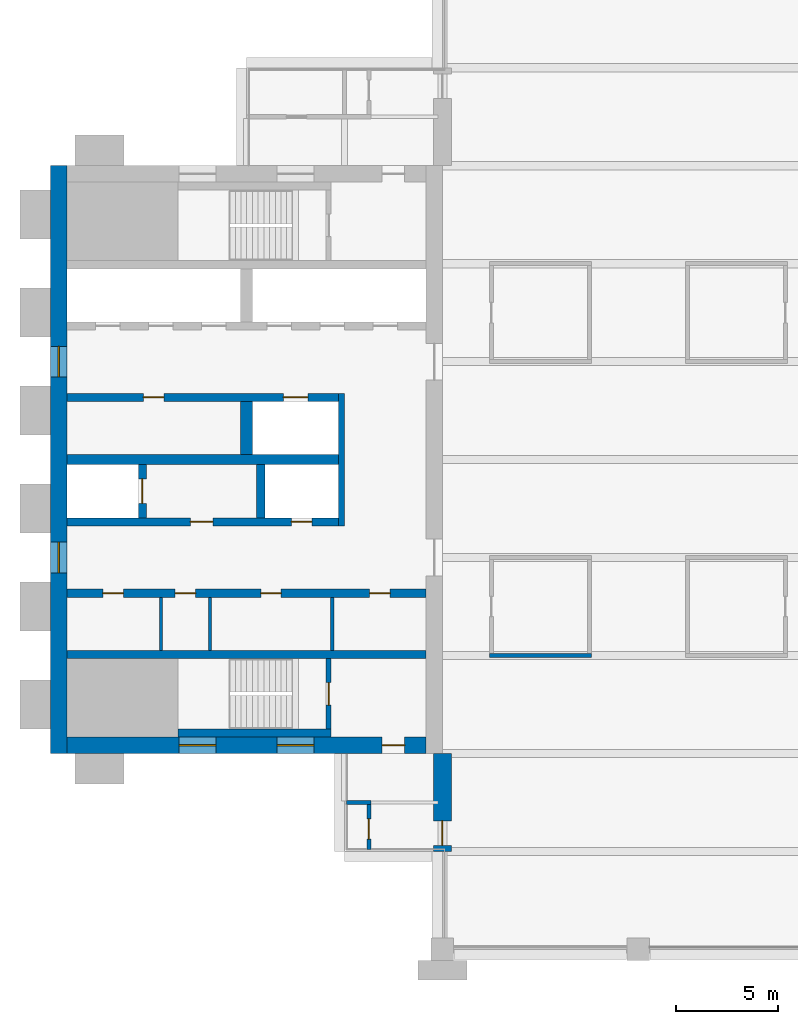
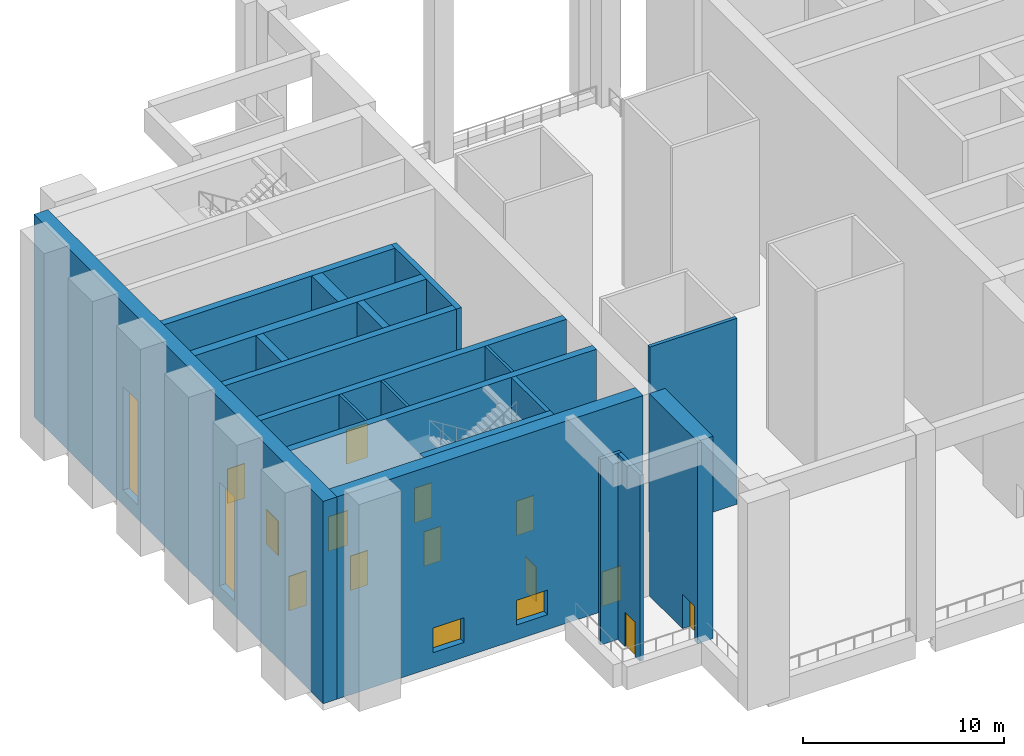
# One storey, part 2 of 8: 20 walls, 13 doors, 4 windows, 17 openings.
"""IFC4 building model written with IfcOpenShell, lengths in metres."""

from ifc_helpers import new_model, si_unit, direction, frame, frame_2d, origin, place, context, subcontext, project, spatial, rectangle, extrude, material, layer, layer_set, type_object, element, fill, save


model = new_model("IFC4")

# Units and contexts
model_context = context("Model", 3, precision=1e-05, world=origin(), true_north=direction((0.0, 1.0)))
body_context = subcontext(model_context, "Body", "Model", "MODEL_VIEW")
ifc_project = project(units=[si_unit("LENGTHUNIT", "METRE"), si_unit("AREAUNIT", "SQUARE_METRE"), si_unit("VOLUMEUNIT", "CUBIC_METRE"), si_unit("PLANEANGLEUNIT", "RADIAN"), si_unit("MASSUNIT", "GRAM", prefix="KILO")], contexts=[model_context])

# Site, building, storey
site_placement = place(None, origin())
site = spatial("IfcSite", under=ifc_project, at=site_placement, CompositionType="ELEMENT")
building_placement = place(site_placement, origin())
building = spatial("IfcBuilding", under=site, at=building_placement, Name="Baori Bourse Tower", CompositionType="ELEMENT")
storey_placement = place(building_placement, frame((0.0, 0.0, 269.699951171875)))
storey = spatial("IfcBuildingStorey", under=building, at=storey_placement, Name="L60", CompositionType="ELEMENT", Elevation=269.699951171875)

# Walls
ifc_material_1 = material(Name="Blockwork partition", Category="masonry")
ifc_layer_1 = layer(ifc_material_1, 0.14990234375)
ifc_layer_set_1 = layer_set([ifc_layer_1], Name="Core partition 150")
wall_type_1 = type_object("IfcWallType", Name="Core partition 150", PredefinedType="PARTITIONING", material=ifc_layer_set_1)
for number, where, z_axis, x_axis, name in (
    (1, (5.39990234375, 14.64990234375, 0.0), (0.0, 0.0, 1.0), (0.0, 1.0, 0.0), "Partition wall W08"),
    (2, (7.800048828125, 14.64990234375, 0.0), (0.0, 0.0, 1.0), (0.0, 1.0, 0.0), "Partition wall W09"),
    (3, (13.800048828125, 14.64990234375, 0.0), (0.0, 0.0, 1.0), (0.0, 1.0, 0.0), "Partition wall W10"),
):
    element("IfcWall", number, at=place(storey_placement, frame(where, z_axis=z_axis, x_axis=x_axis)), inside=storey, type_object=wall_type_1, Name=name, PredefinedType="PARTITIONING", context=body_context, shape_type="SweptSolid", body=[
        extrude(rectangle(XDim=2.60009765625, YDim=0.14990234375, at=frame_2d((1.300048828125, 0.0))), origin(), (0.0, 0.0, 1.0), 12.300048828125),
    ])

# Wall, openings, windows
ifc_material_2 = material(Name="Concrete f'c 50 MPa", Category="concrete")
ifc_layer_2 = layer(ifc_material_2, 0.800048828125)
ifc_layer_set_2 = layer_set([ifc_layer_2], Name="Core wall 800 f'c 50")
wall_type_2 = type_object("IfcWallType", Name="Core wall 800 f'c 50", PredefinedType="SHEAR", material=ifc_layer_set_2)
wall_1_placement = place(storey_placement, frame((0.39990234375, 9.60009765625, 0.0), z_axis=(0.0, 0.0, 1.0), x_axis=(0.0, 1.0, 0.0)))
wall_1 = element("IfcWall", 4, at=wall_1_placement, inside=storey, type_object=wall_type_2, Name="Core wall W01", PredefinedType="SHEAR", context=body_context, shape_type="SweptSolid", body=[
    extrude(rectangle(XDim=28.7998046875, YDim=0.800048828125, at=frame_2d((14.39990234375, 0.0))), origin(), (0.0, 0.0, 1.0), 12.300048828125),
])
opening_1_placement = place(wall_1_placement, frame((8.85009765625, 0.0, 0.89990234375)))
opening_1 = element("IfcOpeningElement", 5, at=opening_1_placement, cuts=wall_1, Name="Opening L60-KW101", PredefinedType="OPENING", context=body_context, shape_type="SweptSolid", body=[
    extrude(rectangle(XDim=1.5, YDim=6.300048828125, at=frame_2d((0.75, 3.14990234375))), frame((0.0, 0.409912109375, 0.0), z_axis=(0.0, -1.0, 0.0), x_axis=(1.0, 0.0, 0.0)), (0.0, 0.0, 1.0), 0.820068359375),
])
opening_2_placement = place(wall_1_placement, frame((18.449951171875, 0.0, 0.89990234375)))
opening_2 = element("IfcOpeningElement", 6, at=opening_2_placement, cuts=wall_1, Name="Opening L60-KW102", PredefinedType="OPENING", context=body_context, shape_type="SweptSolid", body=[
    extrude(rectangle(XDim=1.5, YDim=6.300048828125, at=frame_2d((0.75, 3.14990234375))), frame((0.0, 0.409912109375, 0.0), z_axis=(0.0, -1.0, 0.0), x_axis=(1.0, 0.0, 0.0)), (0.0, 0.0, 1.0), 0.820068359375),
])
ifc_material_3 = material(Name="Pale anodised aluminium", Category="aluminium")
window_type_1 = type_object("IfcWindowType", Name="Lobby window 1500 x 6300", PartitioningType="SINGLE_PANEL", PredefinedType="WINDOW", material=ifc_material_3)
window_1_placement = place(opening_1_placement, origin())
window_1 = element("IfcWindow", 7, at=window_1_placement, inside=storey, type_object=window_type_1, Name="Outer wall window W L60 1", OverallHeight=6.300048828125, OverallWidth=1.5, PartitioningType="SINGLE_PANEL", PredefinedType="WINDOW", context=body_context, shape_type="SweptSolid", body=[
    extrude(rectangle(XDim=1.5, YDim=6.300048828125, at=frame_2d((0.75, 3.14990234375))), frame((0.0, 0.030029296875, 0.0), z_axis=(0.0, -1.0, 0.0), x_axis=(1.0, 0.0, 0.0)), (0.0, 0.0, 1.0), 0.06005859375),
])
fill(opening_1, window_1)
window_2_placement = place(opening_2_placement, origin())
window_2 = element("IfcWindow", 8, at=window_2_placement, inside=storey, type_object=window_type_1, Name="Outer wall window W L60 2", OverallHeight=6.300048828125, OverallWidth=1.5, PartitioningType="SINGLE_PANEL", PredefinedType="WINDOW", context=body_context, shape_type="SweptSolid", body=[
    extrude(rectangle(XDim=1.5, YDim=6.300048828125, at=frame_2d((0.75, 3.14990234375))), frame((0.0, 0.030029296875, 0.0), z_axis=(0.0, -1.0, 0.0), x_axis=(1.0, 0.0, 0.0)), (0.0, 0.0, 1.0), 0.06005859375),
])
fill(opening_2, window_2)

# Wall, openings, door, windows
wall_2_placement = place(storey_placement, frame((18.39990234375, 10.0, 0.0), z_axis=(0.0, 0.0, 1.0), x_axis=(-1.0, 0.0, 0.0)))
wall_2 = element("IfcWall", 9, at=wall_2_placement, inside=storey, type_object=wall_type_2, Name="Core wall W02", PredefinedType="SHEAR", context=body_context, shape_type="SweptSolid", body=[
    extrude(rectangle(XDim=17.599853515625, YDim=0.800048828125, at=frame_2d((8.7998046875, 0.0))), origin(), (0.0, 0.0, 1.0), 12.300048828125),
])
opening_3_placement = place(wall_2_placement, frame((1.050048828125, 0.0, 0.0)))
opening_3 = element("IfcOpeningElement", 10, at=opening_3_placement, cuts=wall_2, Name="Opening L60-D102", PredefinedType="OPENING", context=body_context, shape_type="SweptSolid", body=[
    extrude(rectangle(XDim=1.10009765625, YDim=2.10009765625, at=frame_2d((0.550048828125, 1.050048828125))), frame((0.0, 0.409912109375, 0.0), z_axis=(0.0, -1.0, 0.0), x_axis=(1.0, 0.0, 0.0)), (0.0, 0.0, 1.0), 0.820068359375),
])
opening_4_placement = place(wall_2_placement, frame((10.300048828125, 0.0, 0.89990234375)))
opening_4 = element("IfcOpeningElement", 11, at=opening_4_placement, cuts=wall_2, Name="Opening L60-KW103", PredefinedType="OPENING", context=body_context, shape_type="SweptSolid", body=[
    extrude(rectangle(XDim=1.800048828125, YDim=1.5, at=frame_2d((0.89990234375, 0.75))), frame((0.0, 0.409912109375, 0.0), z_axis=(0.0, -1.0, 0.0), x_axis=(1.0, 0.0, 0.0)), (0.0, 0.0, 1.0), 0.820068359375),
])
opening_5_placement = place(wall_2_placement, frame((5.5, 0.0, 0.89990234375)))
opening_5 = element("IfcOpeningElement", 12, at=opening_5_placement, cuts=wall_2, Name="Opening L60-KW104", PredefinedType="OPENING", context=body_context, shape_type="SweptSolid", body=[
    extrude(rectangle(XDim=1.800048828125, YDim=1.5, at=frame_2d((0.89990234375, 0.75))), frame((0.0, 0.409912109375, 0.0), z_axis=(0.0, -1.0, 0.0), x_axis=(1.0, 0.0, 0.0)), (0.0, 0.0, 1.0), 0.820068359375),
])
ifc_material_4 = material(Name="Painted steel door", Category="steel")
door_type_1 = type_object("IfcDoorType", Name="Stair door 1100", OperationType="SINGLE_SWING_LEFT", PredefinedType="DOOR", material=ifc_material_4)
door_1_placement = place(opening_3_placement, origin())
door_1 = element("IfcDoor", 13, at=door_1_placement, inside=storey, type_object=door_type_1, Name="Stair vestibule door A W L60", OperationType="SINGLE_SWING_LEFT", OverallHeight=2.10009765625, OverallWidth=1.10009765625, PredefinedType="DOOR", context=body_context, shape_type="SweptSolid", body=[
    extrude(rectangle(XDim=1.10009765625, YDim=2.10009765625, at=frame_2d((0.550048828125, 1.050048828125))), frame((0.0, 0.02490234375, 0.0), z_axis=(0.0, -1.0, 0.0), x_axis=(1.0, 0.0, 0.0)), (0.0, 0.0, 1.0), 0.050048828125),
])
fill(opening_3, door_1)
ifc_material_5 = material(Name="Pale anodised aluminium", Category="aluminium")
window_type_2 = type_object("IfcWindowType", Name="Stair window 1800 x 1500", PartitioningType="SINGLE_PANEL", PredefinedType="WINDOW", material=ifc_material_5)
window_3_placement = place(opening_4_placement, origin())
window_3 = element("IfcWindow", 14, at=window_3_placement, inside=storey, type_object=window_type_2, Name="Stair window W L60 3", OverallHeight=1.5, OverallWidth=1.800048828125, PartitioningType="SINGLE_PANEL", PredefinedType="WINDOW", context=body_context, shape_type="SweptSolid", body=[
    extrude(rectangle(XDim=1.800048828125, YDim=1.5, at=frame_2d((0.89990234375, 0.75))), frame((0.0, 0.030029296875, 0.0), z_axis=(0.0, -1.0, 0.0), x_axis=(1.0, 0.0, 0.0)), (0.0, 0.0, 1.0), 0.06005859375),
])
fill(opening_4, window_3)
window_4_placement = place(opening_5_placement, origin())
window_4 = element("IfcWindow", 15, at=window_4_placement, inside=storey, type_object=window_type_2, Name="Stair window W L60 4", OverallHeight=1.5, OverallWidth=1.800048828125, PartitioningType="SINGLE_PANEL", PredefinedType="WINDOW", context=body_context, shape_type="SweptSolid", body=[
    extrude(rectangle(XDim=1.800048828125, YDim=1.5, at=frame_2d((0.89990234375, 0.75))), frame((0.0, 0.030029296875, 0.0), z_axis=(0.0, -1.0, 0.0), x_axis=(1.0, 0.0, 0.0)), (0.0, 0.0, 1.0), 0.06005859375),
])
fill(opening_5, window_4)

# Wall, opening, door
ifc_material_6 = material(Name="Concrete f'c 50 MPa", Category="concrete")
ifc_layer_3 = layer(ifc_material_6, 0.89990234375)
ifc_layer_set_3 = layer_set([ifc_layer_3], Name="Outrigger wall 900 50")
wall_type_3 = type_object("IfcWallType", Name="Outrigger wall 900 50", PredefinedType="SHEAR", material=ifc_layer_set_3)
wall_3_placement = place(storey_placement, frame((19.199951171875, 4.800048828125, 0.0), z_axis=(0.0, 0.0, 1.0), x_axis=(0.0, 1.0, 0.0)))
wall_3 = element("IfcWall", 16, at=wall_3_placement, inside=storey, type_object=wall_type_3, Name="Outrigger wall L60", PredefinedType="SHEAR", context=body_context, shape_type="SweptSolid", body=[
    extrude(rectangle(XDim=4.800048828125, YDim=0.89990234375, at=frame_2d((2.39990234375, 0.0))), origin(), (0.0, 0.0, 1.0), 12.300048828125),
])
opening_6_placement = place(wall_3_placement, frame((0.300048828125, 0.0, 0.0)))
opening_6 = element("IfcOpeningElement", 17, at=opening_6_placement, cuts=wall_3, Name="Opening L60-D10", PredefinedType="OPENING", context=body_context, shape_type="SweptSolid", body=[
    extrude(rectangle(XDim=1.199951171875, YDim=2.10009765625, at=frame_2d((0.60009765625, 1.050048828125))), frame((0.0, 0.4599609375, 0.0), z_axis=(0.0, -1.0, 0.0), x_axis=(1.0, 0.0, 0.0)), (0.0, 0.0, 1.0), 0.919921875),
])
ifc_material_7 = material(Name="Timber door leaf", Category="wood")
door_type_2 = type_object("IfcDoorType", Name="Door 1200 x 2100", OperationType="SINGLE_SWING_LEFT", PredefinedType="DOOR", material=ifc_material_7)
door_2_placement = place(opening_6_placement, origin())
door_2 = element("IfcDoor", 18, at=door_2_placement, inside=storey, type_object=door_type_2, Name="Door", OperationType="SINGLE_SWING_LEFT", OverallHeight=2.10009765625, OverallWidth=1.199951171875, PredefinedType="DOOR", context=body_context, shape_type="SweptSolid", body=[
    extrude(rectangle(XDim=1.199951171875, YDim=2.10009765625, at=frame_2d((0.60009765625, 1.050048828125))), frame((0.0, 0.02490234375, 0.0), z_axis=(0.0, -1.0, 0.0), x_axis=(1.0, 0.0, 0.0)), (0.0, 0.0, 1.0), 0.050048828125),
])
fill(opening_6, door_2)

# Walls
ifc_material_8 = material(Name="Gypsum board partition")
ifc_layer_4 = layer(ifc_material_8, 0.199951171875)
ifc_layer_set_4 = layer_set([ifc_layer_4], Name="Plant room wall 200")
wall_type_4 = type_object("IfcWallType", Name="Plant room wall 200", PredefinedType="PARTITIONING", material=ifc_layer_set_4)
wall_4_placement = place(storey_placement, frame((14.5, 7.199951171875, 0.0), z_axis=(0.0, 0.0, 1.0), x_axis=(1.0, 0.0, 0.0)))
element("IfcWall", 19, at=wall_4_placement, inside=storey, type_object=wall_type_4, Name="Partition", PredefinedType="PARTITIONING", context=body_context, shape_type="SweptSolid", body=[
    extrude(rectangle(XDim=1.199951171875, YDim=0.199951171875, at=frame_2d((0.60009765625, 0.0))), origin(), (0.0, 0.0, 1.0), 11.3095703125),
])
wall_5_placement = place(storey_placement, frame((21.5, 14.39990234375, 0.0), z_axis=(0.0, 0.0, 1.0), x_axis=(1.0, 0.0, 0.0)))
element("IfcWall", 20, at=wall_5_placement, inside=storey, type_object=wall_type_4, Name="Partition", PredefinedType="PARTITIONING", context=body_context, shape_type="SweptSolid", body=[
    extrude(rectangle(XDim=5.0, YDim=0.199951171875, at=frame_2d((2.5, 0.0))), origin(), (0.0, 0.0, 1.0), 11.3095703125),
])

# Wall, opening, door
wall_6_placement = place(storey_placement, frame((15.60009765625, 4.89990234375, 0.0), z_axis=(0.0, 0.0, 1.0), x_axis=(0.0, 1.0, 0.0)))
wall_6 = element("IfcWall", 21, at=wall_6_placement, inside=storey, type_object=wall_type_4, Name="Partition", PredefinedType="PARTITIONING", context=body_context, shape_type="SweptSolid", body=[
    extrude(rectangle(XDim=2.2001953125, YDim=0.199951171875, at=frame_2d((1.10009765625, 0.0))), origin(), (0.0, 0.0, 1.0), 11.3095703125),
])
opening_7_placement = place(wall_6_placement, frame((0.5, 0.0, 0.0)))
opening_7 = element("IfcOpeningElement", 22, at=opening_7_placement, cuts=wall_6, Name="Opening L60-D02", PredefinedType="OPENING", context=body_context, shape_type="SweptSolid", body=[
    extrude(rectangle(XDim=1.0, YDim=2.10009765625, at=frame_2d((0.5, 1.050048828125))), frame((0.0, 0.10986328125, 0.0), z_axis=(0.0, -1.0, 0.0), x_axis=(1.0, 0.0, 0.0)), (0.0, 0.0, 1.0), 0.219970703125),
])
ifc_material_9 = material(Name="Timber door leaf", Category="wood")
door_type_3 = type_object("IfcDoorType", Name="Door 1000 x 2100", OperationType="SINGLE_SWING_LEFT", PredefinedType="DOOR", material=ifc_material_9)
door_3_placement = place(opening_7_placement, origin())
door_3 = element("IfcDoor", 23, at=door_3_placement, inside=storey, type_object=door_type_3, Name="Door", OperationType="SINGLE_SWING_RIGHT", OverallHeight=2.10009765625, OverallWidth=1.0, PredefinedType="DOOR", context=body_context, shape_type="SweptSolid", body=[
    extrude(rectangle(XDim=1.0, YDim=2.10009765625, at=frame_2d((0.5, 1.050048828125))), frame((0.0, 0.02490234375, 0.0), z_axis=(0.0, -1.0, 0.0), x_axis=(1.0, 0.0, 0.0)), (0.0, 0.0, 1.0), 0.050048828125),
])
fill(opening_7, door_3)

ifc_material_10 = material(Name="Concrete f'c 50 MPa", Category="concrete")
ifc_layer_5 = layer(ifc_material_10, 0.25)
ifc_layer_set_5 = layer_set([ifc_layer_5], Name="Shaft wall 250 f'c 50")
wall_type_5 = type_object("IfcWallType", Name="Shaft wall 250 f'c 50", PredefinedType="SHEAR", material=ifc_layer_set_5)
wall_7_placement = place(storey_placement, frame((13.625, 10.800048828125, 0.0), z_axis=(0.0, 0.0, 1.0), x_axis=(0.0, 1.0, 0.0)))
wall_7 = element("IfcWall", 24, at=wall_7_placement, inside=storey, type_object=wall_type_5, Name="Core wall W06", PredefinedType="SHEAR", context=body_context, shape_type="SweptSolid", body=[
    extrude(rectangle(XDim=3.449951171875, YDim=0.25, at=frame_2d((1.72509765625, 0.0))), origin(), (0.0, 0.0, 1.0), 12.300048828125),
])
opening_8_placement = place(wall_7_placement, frame((1.175048828125, 0.0, 0.0)))
opening_8 = element("IfcOpeningElement", 25, at=opening_8_placement, cuts=wall_7, Name="Opening L60-D101", PredefinedType="OPENING", context=body_context, shape_type="SweptSolid", body=[
    extrude(rectangle(XDim=1.10009765625, YDim=2.10009765625, at=frame_2d((0.550048828125, 1.050048828125))), frame((0.0, 0.135009765625, 0.0), z_axis=(0.0, -1.0, 0.0), x_axis=(1.0, 0.0, 0.0)), (0.0, 0.0, 1.0), 0.27001953125),
])
door_4_placement = place(opening_8_placement, origin())
door_4 = element("IfcDoor", 26, at=door_4_placement, inside=storey, type_object=door_type_1, Name="Stair door A W L60", OperationType="SINGLE_SWING_LEFT", OverallHeight=2.10009765625, OverallWidth=1.10009765625, PredefinedType="DOOR", context=body_context, shape_type="SweptSolid", body=[
    extrude(rectangle(XDim=1.10009765625, YDim=2.10009765625, at=frame_2d((0.550048828125, 1.050048828125))), frame((0.0, 0.02490234375, 0.0), z_axis=(0.0, -1.0, 0.0), x_axis=(1.0, 0.0, 0.0)), (0.0, 0.0, 1.0), 0.050048828125),
])
fill(opening_8, door_4)

# Walls
ifc_material_11 = material(Name="Concrete f'c 50 MPa", Category="concrete")
ifc_layer_6 = layer(ifc_material_11, 0.300048828125)
ifc_layer_set_6 = layer_set([ifc_layer_6], Name="Shaft wall 300 f'c 50")
wall_type_6 = type_object("IfcWallType", Name="Shaft wall 300 f'c 50", PredefinedType="SHEAR", material=ifc_layer_set_6)
wall_8_placement = place(storey_placement, frame((14.25, 20.75, 0.0), z_axis=(0.0, 0.0, 1.0), x_axis=(0.0, 1.0, 0.0)))
element("IfcWall", 27, at=wall_8_placement, inside=storey, type_object=wall_type_6, Name="Core wall W13", PredefinedType="SHEAR", context=body_context, shape_type="SweptSolid", body=[
    extrude(rectangle(XDim=6.5, YDim=0.300048828125, at=frame_2d((3.25, 0.0))), origin(), (0.0, 0.0, 1.0), 12.300048828125),
])
ifc_material_12 = material(Name="Concrete f'c 50 MPa", Category="concrete")
ifc_layer_7 = layer(ifc_material_12, 0.39990234375)
ifc_layer_set_7 = layer_set([ifc_layer_7], Name="Shaft wall 400 f'c 50")
wall_type_7 = type_object("IfcWallType", Name="Shaft wall 400 f'c 50", PredefinedType="SHEAR", material=ifc_layer_set_7)
wall_9_placement = place(storey_placement, frame((6.25, 10.60009765625, 0.0), z_axis=(0.0, 0.0, 1.0), x_axis=(1.0, 0.0, 0.0)))
element("IfcWall", 28, at=wall_9_placement, inside=storey, type_object=wall_type_7, Name="Core wall W05", PredefinedType="SHEAR", context=body_context, shape_type="SweptSolid", body=[
    extrude(rectangle(XDim=7.5, YDim=0.39990234375, at=frame_2d((3.75, 0.0))), origin(), (0.0, 0.0, 1.0), 12.300048828125),
])
wall_10_placement = place(storey_placement, frame((0.800048828125, 14.449951171875, 0.0), z_axis=(0.0, 0.0, 1.0), x_axis=(1.0, 0.0, 0.0)))
element("IfcWall", 29, at=wall_10_placement, inside=storey, type_object=wall_type_7, Name="Core wall W07", PredefinedType="SHEAR", context=body_context, shape_type="SweptSolid", body=[
    extrude(rectangle(XDim=17.599853515625, YDim=0.39990234375, at=frame_2d((8.7998046875, 0.0))), origin(), (0.0, 0.0, 1.0), 12.300048828125),
])

# Wall, openings, doors
wall_11_placement = place(storey_placement, frame((0.800048828125, 17.449951171875, 0.0), z_axis=(0.0, 0.0, 1.0), x_axis=(1.0, 0.0, 0.0)))
wall_11 = element("IfcWall", 30, at=wall_11_placement, inside=storey, type_object=wall_type_7, Name="Core wall W11", PredefinedType="SHEAR", context=body_context, shape_type="SweptSolid", body=[
    extrude(rectangle(XDim=17.599853515625, YDim=0.39990234375, at=frame_2d((8.7998046875, 0.0))), origin(), (0.0, 0.0, 1.0), 12.300048828125),
])
opening_9_placement = place(wall_11_placement, frame((1.762451171875, 0.0, 0.0)))
opening_9 = element("IfcOpeningElement", 31, at=opening_9_placement, cuts=wall_11, Name="Opening L60-D109", PredefinedType="OPENING", context=body_context, shape_type="SweptSolid", body=[
    extrude(rectangle(XDim=1.0, YDim=2.10009765625, at=frame_2d((0.5, 1.050048828125))), frame((0.0, 0.2099609375, 0.0), z_axis=(0.0, -1.0, 0.0), x_axis=(1.0, 0.0, 0.0)), (0.0, 0.0, 1.0), 0.419921875),
])
opening_10_placement = place(wall_11_placement, frame((5.300048828125, 0.0, 0.0)))
opening_10 = element("IfcOpeningElement", 32, at=opening_10_placement, cuts=wall_11, Name="Opening L60-D110", PredefinedType="OPENING", context=body_context, shape_type="SweptSolid", body=[
    extrude(rectangle(XDim=1.0, YDim=2.10009765625, at=frame_2d((0.5, 1.050048828125))), frame((0.0, 0.2099609375, 0.0), z_axis=(0.0, -1.0, 0.0), x_axis=(1.0, 0.0, 0.0)), (0.0, 0.0, 1.0), 0.419921875),
])
opening_11_placement = place(wall_11_placement, frame((9.5, 0.0, 0.0)))
opening_11 = element("IfcOpeningElement", 33, at=opening_11_placement, cuts=wall_11, Name="Opening L60-D111", PredefinedType="OPENING", context=body_context, shape_type="SweptSolid", body=[
    extrude(rectangle(XDim=1.0, YDim=2.10009765625, at=frame_2d((0.5, 1.050048828125))), frame((0.0, 0.2099609375, 0.0), z_axis=(0.0, -1.0, 0.0), x_axis=(1.0, 0.0, 0.0)), (0.0, 0.0, 1.0), 0.419921875),
])
opening_12_placement = place(wall_11_placement, frame((14.83740234375, 0.0, 0.0)))
opening_12 = element("IfcOpeningElement", 34, at=opening_12_placement, cuts=wall_11, Name="Opening L60-D112", PredefinedType="OPENING", context=body_context, shape_type="SweptSolid", body=[
    extrude(rectangle(XDim=1.0, YDim=2.10009765625, at=frame_2d((0.5, 1.050048828125))), frame((0.0, 0.2099609375, 0.0), z_axis=(0.0, -1.0, 0.0), x_axis=(1.0, 0.0, 0.0)), (0.0, 0.0, 1.0), 0.419921875),
])
ifc_material_13 = material(Name="Painted steel door", Category="steel")
door_type_4 = type_object("IfcDoorType", Name="Core door 1000", OperationType="SINGLE_SWING_LEFT", PredefinedType="DOOR", material=ifc_material_13)
door_5_placement = place(opening_9_placement, origin())
door_5 = element("IfcDoor", 35, at=door_5_placement, inside=storey, type_object=door_type_4, Name="Women'S Wc door W L60", OperationType="SINGLE_SWING_LEFT", OverallHeight=2.10009765625, OverallWidth=1.0, PredefinedType="DOOR", context=body_context, shape_type="SweptSolid", body=[
    extrude(rectangle(XDim=1.0, YDim=2.10009765625, at=frame_2d((0.5, 1.050048828125))), frame((0.0, 0.02490234375, 0.0), z_axis=(0.0, -1.0, 0.0), x_axis=(1.0, 0.0, 0.0)), (0.0, 0.0, 1.0), 0.050048828125),
])
fill(opening_9, door_5)
door_6_placement = place(opening_10_placement, origin())
door_6 = element("IfcDoor", 36, at=door_6_placement, inside=storey, type_object=door_type_4, Name="Store Room door W L60", OperationType="SINGLE_SWING_LEFT", OverallHeight=2.10009765625, OverallWidth=1.0, PredefinedType="DOOR", context=body_context, shape_type="SweptSolid", body=[
    extrude(rectangle(XDim=1.0, YDim=2.10009765625, at=frame_2d((0.5, 1.050048828125))), frame((0.0, 0.02490234375, 0.0), z_axis=(0.0, -1.0, 0.0), x_axis=(1.0, 0.0, 0.0)), (0.0, 0.0, 1.0), 0.050048828125),
])
fill(opening_10, door_6)
door_7_placement = place(opening_11_placement, origin())
door_7 = element("IfcDoor", 37, at=door_7_placement, inside=storey, type_object=door_type_4, Name="Men'S Wc door W L60", OperationType="SINGLE_SWING_LEFT", OverallHeight=2.10009765625, OverallWidth=1.0, PredefinedType="DOOR", context=body_context, shape_type="SweptSolid", body=[
    extrude(rectangle(XDim=1.0, YDim=2.10009765625, at=frame_2d((0.5, 1.050048828125))), frame((0.0, 0.02490234375, 0.0), z_axis=(0.0, -1.0, 0.0), x_axis=(1.0, 0.0, 0.0)), (0.0, 0.0, 1.0), 0.050048828125),
])
fill(opening_11, door_7)
door_8_placement = place(opening_12_placement, origin())
door_8 = element("IfcDoor", 38, at=door_8_placement, inside=storey, type_object=door_type_4, Name="Accessible Wc door W L60", OperationType="SINGLE_SWING_LEFT", OverallHeight=2.10009765625, OverallWidth=1.0, PredefinedType="DOOR", context=body_context, shape_type="SweptSolid", body=[
    extrude(rectangle(XDim=1.0, YDim=2.10009765625, at=frame_2d((0.5, 1.050048828125))), frame((0.0, 0.02490234375, 0.0), z_axis=(0.0, -1.0, 0.0), x_axis=(1.0, 0.0, 0.0)), (0.0, 0.0, 1.0), 0.050048828125),
])
fill(opening_12, door_8)

wall_12_placement = place(storey_placement, frame((0.800048828125, 20.949951171875, 0.0), z_axis=(0.0, 0.0, 1.0), x_axis=(1.0, 0.0, 0.0)))
wall_12 = element("IfcWall", 39, at=wall_12_placement, inside=storey, type_object=wall_type_7, Name="Core wall W12", PredefinedType="SHEAR", context=body_context, shape_type="SweptSolid", body=[
    extrude(rectangle(XDim=13.300048828125, YDim=0.39990234375, at=frame_2d((6.64990234375, 0.0))), origin(), (0.0, 0.0, 1.0), 12.300048828125),
])
opening_13_placement = place(wall_12_placement, frame((6.050048828125, 0.0, 0.0)))
opening_13 = element("IfcOpeningElement", 40, at=opening_13_placement, cuts=wall_12, Name="Opening L60-D105", PredefinedType="OPENING", context=body_context, shape_type="SweptSolid", body=[
    extrude(rectangle(XDim=1.10009765625, YDim=2.10009765625, at=frame_2d((0.550048828125, 1.050048828125))), frame((0.0, 0.2099609375, 0.0), z_axis=(0.0, -1.0, 0.0), x_axis=(1.0, 0.0, 0.0)), (0.0, 0.0, 1.0), 0.419921875),
])
opening_14_placement = place(wall_12_placement, frame((11.0, 0.0, 0.0)))
opening_14 = element("IfcOpeningElement", 41, at=opening_14_placement, cuts=wall_12, Name="Opening L60-D106", PredefinedType="OPENING", context=body_context, shape_type="SweptSolid", body=[
    extrude(rectangle(XDim=1.0, YDim=2.10009765625, at=frame_2d((0.5, 1.050048828125))), frame((0.0, 0.2099609375, 0.0), z_axis=(0.0, -1.0, 0.0), x_axis=(1.0, 0.0, 0.0)), (0.0, 0.0, 1.0), 0.419921875),
])
ifc_material_14 = material(Name="Painted steel door", Category="steel")
door_type_5 = type_object("IfcDoorType", Name="Lobby door 1100", OperationType="SINGLE_SWING_LEFT", PredefinedType="DOOR", material=ifc_material_14)
door_9_placement = place(opening_13_placement, origin())
door_9 = element("IfcDoor", 42, at=door_9_placement, inside=storey, type_object=door_type_5, Name="Firefighting lobby door W L60", OperationType="SINGLE_SWING_LEFT", OverallHeight=2.10009765625, OverallWidth=1.10009765625, PredefinedType="DOOR", context=body_context, shape_type="SweptSolid", body=[
    extrude(rectangle(XDim=1.10009765625, YDim=2.10009765625, at=frame_2d((0.550048828125, 1.050048828125))), frame((0.0, 0.02490234375, 0.0), z_axis=(0.0, -1.0, 0.0), x_axis=(1.0, 0.0, 0.0)), (0.0, 0.0, 1.0), 0.050048828125),
])
fill(opening_13, door_9)
ifc_material_15 = material(Name="Painted steel door", Category="steel")
door_type_6 = type_object("IfcDoorType", Name="Shaft door 1000", OperationType="SINGLE_SWING_LEFT", PredefinedType="DOOR", material=ifc_material_15)
door_10_placement = place(opening_14_placement, origin())
door_10 = element("IfcDoor", 43, at=door_10_placement, inside=storey, type_object=door_type_6, Name="Riser room door W L60", OperationType="SINGLE_SWING_LEFT", OverallHeight=2.10009765625, OverallWidth=1.0, PredefinedType="DOOR", context=body_context, shape_type="SweptSolid", body=[
    extrude(rectangle(XDim=1.0, YDim=2.10009765625, at=frame_2d((0.5, 1.050048828125))), frame((0.0, 0.02490234375, 0.0), z_axis=(0.0, -1.0, 0.0), x_axis=(1.0, 0.0, 0.0)), (0.0, 0.0, 1.0), 0.050048828125),
])
fill(opening_14, door_10)

# Wall, opening, door
wall_13_placement = place(storey_placement, frame((4.5, 21.14990234375, 0.0), z_axis=(0.0, 0.0, 1.0), x_axis=(0.0, 1.0, 0.0)))
wall_13 = element("IfcWall", 44, at=wall_13_placement, inside=storey, type_object=wall_type_7, Name="Core wall W14", PredefinedType="SHEAR", context=body_context, shape_type="SweptSolid", body=[
    extrude(rectangle(XDim=2.60009765625, YDim=0.39990234375, at=frame_2d((1.300048828125, 0.0))), origin(), (0.0, 0.0, 1.0), 12.300048828125),
])
opening_15_placement = place(wall_13_placement, frame((0.699951171875, 0.0, 0.0)))
opening_15 = element("IfcOpeningElement", 45, at=opening_15_placement, cuts=wall_13, Name="Opening L60-D121", PredefinedType="OPENING", context=body_context, shape_type="SweptSolid", body=[
    extrude(rectangle(XDim=1.199951171875, YDim=2.10009765625, at=frame_2d((0.60009765625, 1.050048828125))), frame((0.0, 0.2099609375, 0.0), z_axis=(0.0, -1.0, 0.0), x_axis=(1.0, 0.0, 0.0)), (0.0, 0.0, 1.0), 0.419921875),
])
ifc_material_16 = material(Name="Stainless steel door", Category="steel")
door_type_7 = type_object("IfcDoorType", Name="Lift landing door", OperationType="DOUBLE_DOOR_SLIDING", PredefinedType="DOOR", material=ifc_material_16)
door_11_placement = place(opening_15_placement, origin())
door_11 = element("IfcDoor", 46, at=door_11_placement, inside=storey, type_object=door_type_7, Name="Lift landing door FF1 W L60", OperationType="DOUBLE_DOOR_SLIDING", OverallHeight=2.10009765625, OverallWidth=1.199951171875, PredefinedType="DOOR", context=body_context, shape_type="SweptSolid", body=[
    extrude(rectangle(XDim=1.199951171875, YDim=2.10009765625, at=frame_2d((0.60009765625, 1.050048828125))), frame((0.0, 0.02490234375, 0.0), z_axis=(0.0, -1.0, 0.0), x_axis=(1.0, 0.0, 0.0)), (0.0, 0.0, 1.0), 0.050048828125),
])
fill(opening_15, door_11)

# Wall
wall_14_placement = place(storey_placement, frame((10.300048828125, 21.14990234375, 0.0), z_axis=(0.0, 0.0, 1.0), x_axis=(0.0, 1.0, 0.0)))
element("IfcWall", 47, at=wall_14_placement, inside=storey, type_object=wall_type_7, Name="Core wall W15", PredefinedType="SHEAR", context=body_context, shape_type="SweptSolid", body=[
    extrude(rectangle(XDim=2.60009765625, YDim=0.39990234375, at=frame_2d((1.300048828125, 0.0))), origin(), (0.0, 0.0, 1.0), 12.300048828125),
])

# Wall, openings, doors
wall_15_placement = place(storey_placement, frame((0.800048828125, 27.050048828125, 0.0), z_axis=(0.0, 0.0, 1.0), x_axis=(1.0, 0.0, 0.0)))
wall_15 = element("IfcWall", 48, at=wall_15_placement, inside=storey, type_object=wall_type_7, Name="Core wall W18", PredefinedType="SHEAR", context=body_context, shape_type="SweptSolid", body=[
    extrude(rectangle(XDim=13.300048828125, YDim=0.39990234375, at=frame_2d((6.64990234375, 0.0))), origin(), (0.0, 0.0, 1.0), 12.300048828125),
])
opening_16_placement = place(wall_15_placement, frame((3.75, 0.0, 0.0)))
opening_16 = element("IfcOpeningElement", 49, at=opening_16_placement, cuts=wall_15, Name="Opening L60-D113", PredefinedType="OPENING", context=body_context, shape_type="SweptSolid", body=[
    extrude(rectangle(XDim=1.0, YDim=2.10009765625, at=frame_2d((0.5, 1.050048828125))), frame((0.0, 0.2099609375, 0.0), z_axis=(0.0, -1.0, 0.0), x_axis=(1.0, 0.0, 0.0)), (0.0, 0.0, 1.0), 0.419921875),
])
opening_17_placement = place(wall_15_placement, frame((10.60009765625, 0.0, 0.0)))
opening_17 = element("IfcOpeningElement", 50, at=opening_17_placement, cuts=wall_15, Name="Opening L60-D120", PredefinedType="OPENING", context=body_context, shape_type="SweptSolid", body=[
    extrude(rectangle(XDim=1.199951171875, YDim=2.10009765625, at=frame_2d((0.60009765625, 1.050048828125))), frame((0.0, 0.2099609375, 0.0), z_axis=(0.0, -1.0, 0.0), x_axis=(1.0, 0.0, 0.0)), (0.0, 0.0, 1.0), 0.419921875),
])
door_12_placement = place(opening_16_placement, origin())
door_12 = element("IfcDoor", 51, at=door_12_placement, inside=storey, type_object=door_type_4, Name="Recycling Room door W L60", OperationType="SINGLE_SWING_LEFT", OverallHeight=2.10009765625, OverallWidth=1.0, PredefinedType="DOOR", context=body_context, shape_type="SweptSolid", body=[
    extrude(rectangle(XDim=1.0, YDim=2.10009765625, at=frame_2d((0.5, 1.050048828125))), frame((0.0, 0.02490234375, 0.0), z_axis=(0.0, -1.0, 0.0), x_axis=(1.0, 0.0, 0.0)), (0.0, 0.0, 1.0), 0.050048828125),
])
fill(opening_16, door_12)
door_13_placement = place(opening_17_placement, origin())
door_13 = element("IfcDoor", 52, at=door_13_placement, inside=storey, type_object=door_type_7, Name="Lift landing door SV1 W L60", OperationType="DOUBLE_DOOR_SLIDING", OverallHeight=2.10009765625, OverallWidth=1.199951171875, PredefinedType="DOOR", context=body_context, shape_type="SweptSolid", body=[
    extrude(rectangle(XDim=1.199951171875, YDim=2.10009765625, at=frame_2d((0.60009765625, 1.050048828125))), frame((0.0, 0.02490234375, 0.0), z_axis=(0.0, -1.0, 0.0), x_axis=(1.0, 0.0, 0.0)), (0.0, 0.0, 1.0), 0.050048828125),
])
fill(opening_17, door_13)

# Walls
ifc_material_17 = material(Name="Concrete f'c 50 MPa", Category="concrete")
ifc_layer_8 = layer(ifc_material_17, 0.5)
ifc_layer_set_8 = layer_set([ifc_layer_8], Name="Shaft wall 500 f'c 50")
wall_type_8 = type_object("IfcWallType", Name="Shaft wall 500 f'c 50", PredefinedType="SHEAR", material=ifc_layer_set_8)
wall_16_placement = place(storey_placement, frame((0.800048828125, 24.0, 0.0), z_axis=(0.0, 0.0, 1.0), x_axis=(1.0, 0.0, 0.0)))
element("IfcWall", 53, at=wall_16_placement, inside=storey, type_object=wall_type_8, Name="Core wall W16", PredefinedType="SHEAR", context=body_context, shape_type="SweptSolid", body=[
    extrude(rectangle(XDim=13.300048828125, YDim=0.5, at=frame_2d((6.64990234375, 0.0))), origin(), (0.0, 0.0, 1.0), 12.300048828125),
])
ifc_material_18 = material(Name="Concrete f'c 50 MPa", Category="concrete")
ifc_layer_9 = layer(ifc_material_18, 0.60009765625)
ifc_layer_set_9 = layer_set([ifc_layer_9], Name="Shaft wall 600 f'c 50")
wall_type_9 = type_object("IfcWallType", Name="Shaft wall 600 f'c 50", PredefinedType="SHEAR", material=ifc_layer_set_9)
wall_17_placement = place(storey_placement, frame((9.60009765625, 24.25, 0.0), z_axis=(0.0, 0.0, 1.0), x_axis=(0.0, 1.0, 0.0)))
element("IfcWall", 54, at=wall_17_placement, inside=storey, type_object=wall_type_9, Name="Core wall W17", PredefinedType="SHEAR", context=body_context, shape_type="SweptSolid", body=[
    extrude(rectangle(XDim=2.60009765625, YDim=0.60009765625, at=frame_2d((1.300048828125, 0.0))), origin(), (0.0, 0.0, 1.0), 12.300048828125),
])

save(model, "model.ifc")
